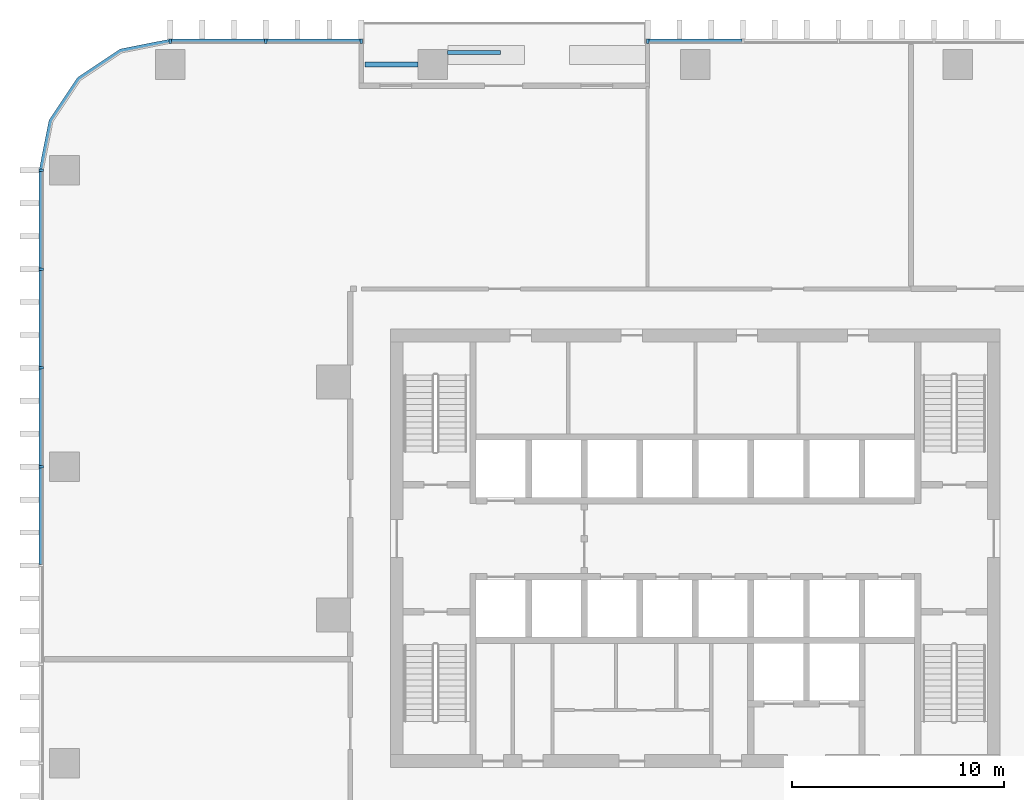
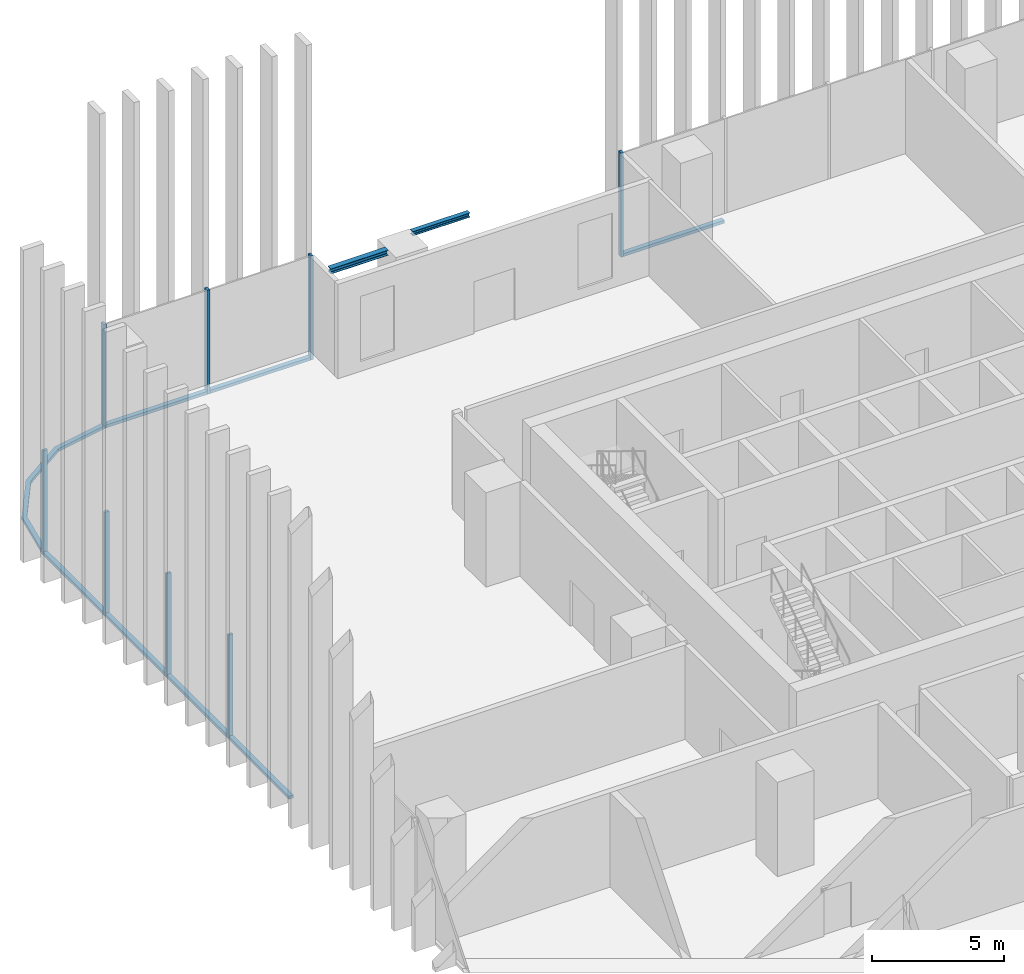
# One storey, part 4 of 16: 16 members, 2 beams, 4 elements without a shape of their own.
"""IFC4 building model written with IfcOpenShell, lengths in metres."""

from ifc_helpers import new_model, si_unit, direction, frame, origin, origin_2d, place, context, subcontext, project, spatial, polyline, rectangle, i_section, outline, extrude, material, material_profile, profile_set, type_object, element, aggregate, save


model = new_model("IFC4")

# Units and contexts
model_context = context("Model", 3, precision=1e-05, world=origin(), true_north=direction((0.0, 1.0)))
body_context = subcontext(model_context, "Body", "Model", "MODEL_VIEW")
ifc_project = project(units=[si_unit("LENGTHUNIT", "METRE"), si_unit("AREAUNIT", "SQUARE_METRE"), si_unit("VOLUMEUNIT", "CUBIC_METRE"), si_unit("PLANEANGLEUNIT", "RADIAN"), si_unit("MASSUNIT", "GRAM", prefix="KILO")], contexts=[model_context])

# Site, building, storey
site_placement = place(None, origin())
site = spatial("IfcSite", under=ifc_project, at=site_placement, CompositionType="ELEMENT")
building_placement = place(site_placement, origin())
building = spatial("IfcBuilding", under=site, at=building_placement, Name="Mopane Tessera Tower", CompositionType="ELEMENT")
storey_placement = place(building_placement, frame((0.0, 0.0, 59.800048828125)))
storey = spatial("IfcBuildingStorey", under=building, at=storey_placement, Name="L11", CompositionType="ELEMENT", Elevation=59.800048828125)

# Curtain wall, member
ifc_material_1 = material(Name="Aluminium frame", Category="aluminium")
curtain_wall_type = type_object("IfcCurtainWallType", Name="Lower tower unitised wall", PredefinedType="NOTDEFINED", material=ifc_material_1)
curtain_wall_1_placement = place(storey_placement, origin())
curtain_wall_1 = element("IfcCurtainWall", 1, at=curtain_wall_1_placement, inside=storey, type_object=curtain_wall_type, Name="e:cw:L11:N:0", PredefinedType="NOTDEFINED")
ifc_material_2 = material(Name="Aluminium frame", Category="aluminium")
ifc_material_profile_1 = material_profile(ifc_material_2, rectangle(XDim=0.110107421875, YDim=0.199951171875, at=origin_2d()))
ifc_profile_set_1 = profile_set([ifc_material_profile_1], Name="Aluminium frame")
member_type_1 = type_object("IfcMemberType", Name="Aluminium mullion 110 x 200", PredefinedType="MULLION", material=ifc_profile_set_1)
member_1_placement = place(storey_placement, frame((-2.254638671875, 27.10009765625, -0.449951171875), z_axis=(0.0, 0.0, 1.0), x_axis=(-1.0, 0.0, 0.0)))
member_1 = element("IfcMember", 2, at=member_1_placement, type_object=member_type_1, Name="e:cw:L11:N:0:mu6", PredefinedType="MULLION", context=body_context, shape_type="SweptSolid", body=[
    extrude(rectangle(XDim=0.110107421875, YDim=0.199951171875, at=origin_2d()), origin(), (0.0, 0.0, 1.0), 4.7998046875),
])

# Curtain wall, members
curtain_wall_2_placement = place(storey_placement, origin())
curtain_wall_2 = element("IfcCurtainWall", 3, at=curtain_wall_2_placement, inside=storey, type_object=curtain_wall_type, Name="e:cw:L11:N:9", PredefinedType="NOTDEFINED")
member_2_placement = place(storey_placement, frame((-15.78173828125, 27.10009765625, -0.449951171875), z_axis=(0.0, 0.0, 1.0), x_axis=(-1.0, 0.0, 0.0)))
member_2 = element("IfcMember", 4, at=member_2_placement, type_object=member_type_1, Name="e:cw:L11:N:9:mu9", PredefinedType="MULLION", context=body_context, shape_type="SweptSolid", body=[
    extrude(rectangle(XDim=0.110107421875, YDim=0.199951171875, at=origin_2d()), origin(), (0.0, 0.0, 1.0), 4.7998046875),
])
member_3_placement = place(storey_placement, frame((-20.291015625, 27.10009765625, -0.449951171875), z_axis=(0.0, 0.0, 1.0), x_axis=(-1.0, 0.0, 0.0)))
member_3 = element("IfcMember", 5, at=member_3_placement, type_object=member_type_1, Name="e:cw:L11:N:9:mu10", PredefinedType="MULLION", context=body_context, shape_type="SweptSolid", body=[
    extrude(rectangle(XDim=0.110107421875, YDim=0.199951171875, at=origin_2d()), origin(), (0.0, 0.0, 1.0), 4.7998046875),
])
member_4_placement = place(storey_placement, frame((-24.800048828125, 27.10009765625, -0.449951171875), z_axis=(0.0, 0.0, 1.0), x_axis=(-1.0, 0.0, 0.0)))
member_4 = element("IfcMember", 6, at=member_4_placement, type_object=member_type_1, Name="e:cw:L11:N:9:mu11", PredefinedType="MULLION", context=body_context, shape_type="SweptSolid", body=[
    extrude(rectangle(XDim=0.110107421875, YDim=0.199951171875, at=origin_2d()), origin(), (0.0, 0.0, 1.0), 4.7998046875),
])

curtain_wall_3_placement = place(storey_placement, origin())
curtain_wall_3 = element("IfcCurtainWall", 7, at=curtain_wall_3_placement, inside=storey, type_object=curtain_wall_type, Name="e:cw:L11:W:0", PredefinedType="NOTDEFINED")
member_5_placement = place(storey_placement, frame((-30.89990234375, 21.0, -0.449951171875), z_axis=(0.0, 0.0, 1.0), x_axis=(0.0, -1.0, 0.0)))
member_5 = element("IfcMember", 8, at=member_5_placement, type_object=member_type_1, Name="e:cw:L11:W:0:mu0", PredefinedType="MULLION", context=body_context, shape_type="SweptSolid", body=[
    extrude(rectangle(XDim=0.110107421875, YDim=0.199951171875, at=origin_2d()), origin(), (0.0, 0.0, 1.0), 4.7998046875),
])
member_6_placement = place(storey_placement, frame((-30.89990234375, 16.333251953125, -0.449951171875), z_axis=(0.0, 0.0, 1.0), x_axis=(0.0, -1.0, 0.0)))
member_6 = element("IfcMember", 9, at=member_6_placement, type_object=member_type_1, Name="e:cw:L11:W:0:mu1", PredefinedType="MULLION", context=body_context, shape_type="SweptSolid", body=[
    extrude(rectangle(XDim=0.110107421875, YDim=0.199951171875, at=origin_2d()), origin(), (0.0, 0.0, 1.0), 4.7998046875),
])
member_7_placement = place(storey_placement, frame((-30.89990234375, 11.666748046875, -0.449951171875), z_axis=(0.0, 0.0, 1.0), x_axis=(0.0, -1.0, 0.0)))
member_7 = element("IfcMember", 10, at=member_7_placement, type_object=member_type_1, Name="e:cw:L11:W:0:mu2", PredefinedType="MULLION", context=body_context, shape_type="SweptSolid", body=[
    extrude(rectangle(XDim=0.110107421875, YDim=0.199951171875, at=origin_2d()), origin(), (0.0, 0.0, 1.0), 4.7998046875),
])
member_8_placement = place(storey_placement, frame((-30.89990234375, 7.0, -0.449951171875), z_axis=(0.0, 0.0, 1.0), x_axis=(0.0, -1.0, 0.0)))
member_8 = element("IfcMember", 11, at=member_8_placement, type_object=member_type_1, Name="e:cw:L11:W:0:mu3", PredefinedType="MULLION", context=body_context, shape_type="SweptSolid", body=[
    extrude(rectangle(XDim=0.110107421875, YDim=0.199951171875, at=origin_2d()), origin(), (0.0, 0.0, 1.0), 4.7998046875),
])

# Member
ifc_material_3 = material(Name="Aluminium frame", Category="aluminium")
ifc_material_profile_2 = material_profile(ifc_material_3, rectangle(XDim=0.199951171875, YDim=0.139892578125, at=origin_2d()))
ifc_profile_set_2 = profile_set([ifc_material_profile_2], Name="Aluminium frame")
member_type_2 = type_object("IfcMemberType", Name="Aluminium transom 200 x 140", PredefinedType="USERDEFINED", material=ifc_profile_set_2)
member_9_placement = place(storey_placement, frame((2.199462890625, 27.10009765625, -0.380126953125), z_axis=(-1.0, 0.0, 0.0), x_axis=(0.0, -1.0, 0.0)))
member_9 = element("IfcMember", 12, at=member_9_placement, type_object=member_type_2, Name="e:cw:L11:N:0:tr5", ObjectType="TRANSOM", PredefinedType="USERDEFINED", context=body_context, shape_type="SweptSolid", body=[
    extrude(rectangle(XDim=0.199951171875, YDim=0.139892578125, at=origin_2d()), origin(), (0.0, 0.0, 1.0), 4.39892578125),
])

aggregate(curtain_wall_1, [member_1, member_9])

member_10_placement = place(storey_placement, frame((-15.8369140625, 27.10009765625, -0.380126953125), z_axis=(-1.0, 0.0, 0.0), x_axis=(0.0, -1.0, 0.0)))
member_10 = element("IfcMember", 13, at=member_10_placement, type_object=member_type_2, Name="e:cw:L11:N:9:tr9", ObjectType="TRANSOM", PredefinedType="USERDEFINED", context=body_context, shape_type="SweptSolid", body=[
    extrude(rectangle(XDim=0.199951171875, YDim=0.139892578125, at=origin_2d()), origin(), (0.0, 0.0, 1.0), 4.39892578125),
])

member_11_placement = place(storey_placement, frame((-20.345947265625, 27.10009765625, -0.380126953125), z_axis=(-1.0, 0.0, 0.0), x_axis=(0.0, -1.0, 0.0)))
member_11 = element("IfcMember", 14, at=member_11_placement, type_object=member_type_2, Name="e:cw:L11:N:9:tr10", ObjectType="TRANSOM", PredefinedType="USERDEFINED", context=body_context, shape_type="SweptSolid", body=[
    extrude(rectangle(XDim=0.199951171875, YDim=0.139892578125, at=origin_2d()), origin(), (0.0, 0.0, 1.0), 4.399169921875),
])

aggregate(curtain_wall_2, [member_2, member_3, member_4, member_10, member_11])

# Curtain wall, member
curtain_wall_4_placement = place(storey_placement, origin())
curtain_wall_4 = element("IfcCurtainWall", 15, at=curtain_wall_4_placement, inside=storey, type_object=curtain_wall_type, Name="e:cw:L11:CN", PredefinedType="NOTDEFINED")
member_12_placement = place(storey_placement, frame((0.0, 0.0, -0.449951171875)))
member_12 = element("IfcMember", 16, at=member_12_placement, type_object=member_type_2, Name="e:cw:L11:CN:tr", ObjectType="TRANSOM", PredefinedType="USERDEFINED", context=body_context, shape_type="SweptSolid", body=[
    extrude(outline(polyline([(-24.800048828125, 27.0), (-27.09619140625, 26.543212890625), (-29.042724609375, 25.24267578125), (-30.34326171875, 23.296142578125), (-30.800048828125, 21.0), (-31.0, 21.0), (-30.528076171875, 23.37255859375), (-29.18408203125, 25.384033203125), (-27.172607421875, 26.72802734375), (-24.800048828125, 27.199951171875), (-24.800048828125, 27.0)])), origin(), (0.0, 0.0, 1.0), 0.139892578125),
])
aggregate(curtain_wall_4, [member_12])

# Member
member_13_placement = place(storey_placement, frame((-30.89990234375, 20.945068359375, -0.380126953125), z_axis=(0.0, -1.0, 0.0), x_axis=(1.0, 0.0, 0.0)))
member_13 = element("IfcMember", 17, at=member_13_placement, type_object=member_type_2, Name="e:cw:L11:W:0:tr0", ObjectType="TRANSOM", PredefinedType="USERDEFINED", context=body_context, shape_type="SweptSolid", body=[
    extrude(rectangle(XDim=0.199951171875, YDim=0.139892578125, at=origin_2d()), origin(), (0.0, 0.0, 1.0), 4.556640625),
])

member_14_placement = place(storey_placement, frame((-30.89990234375, 16.2783203125, -0.380126953125), z_axis=(0.0, -1.0, 0.0), x_axis=(1.0, 0.0, 0.0)))
member_14 = element("IfcMember", 18, at=member_14_placement, type_object=member_type_2, Name="e:cw:L11:W:0:tr1", ObjectType="TRANSOM", PredefinedType="USERDEFINED", context=body_context, shape_type="SweptSolid", body=[
    extrude(rectangle(XDim=0.199951171875, YDim=0.139892578125, at=origin_2d()), origin(), (0.0, 0.0, 1.0), 4.556640625),
])

member_15_placement = place(storey_placement, frame((-30.89990234375, 11.611572265625, -0.380126953125), z_axis=(0.0, -1.0, 0.0), x_axis=(1.0, 0.0, 0.0)))
member_15 = element("IfcMember", 19, at=member_15_placement, type_object=member_type_2, Name="e:cw:L11:W:0:tr2", ObjectType="TRANSOM", PredefinedType="USERDEFINED", context=body_context, shape_type="SweptSolid", body=[
    extrude(rectangle(XDim=0.199951171875, YDim=0.139892578125, at=origin_2d()), origin(), (0.0, 0.0, 1.0), 4.556640625),
])

member_16_placement = place(storey_placement, frame((-30.89990234375, 6.945068359375, -0.380126953125), z_axis=(0.0, -1.0, 0.0), x_axis=(1.0, 0.0, 0.0)))
member_16 = element("IfcMember", 20, at=member_16_placement, type_object=member_type_2, Name="e:cw:L11:W:0:tr3", ObjectType="TRANSOM", PredefinedType="USERDEFINED", context=body_context, shape_type="SweptSolid", body=[
    extrude(rectangle(XDim=0.199951171875, YDim=0.139892578125, at=origin_2d()), origin(), (0.0, 0.0, 1.0), 4.556640625),
])

aggregate(curtain_wall_3, [member_5, member_6, member_7, member_8, member_13, member_14, member_15, member_16])

# Beams
ifc_material_4 = material(Name="Structural steel S460", Category="steel")
ifc_material_profile_3 = material_profile(ifc_material_4, i_section(OverallWidth=0.239990234375, OverallDepth=0.239990234375, WebThickness=0.010009765625, FlangeThickness=0.01708984375, FilletRadius=0.02099609375, at=origin_2d()))
ifc_profile_set_3 = profile_set([ifc_material_profile_3], Name="Structural steel S460")
beam_type_1 = type_object("IfcBeamType", Name="Terrace spandrel beam HE 240 B", PredefinedType="SPANDREL", material=ifc_profile_set_3)
beam_1_placement = place(storey_placement, frame((-13.102783203125, 26.0, 4.22998046875), z_axis=(-1.0, 0.0, 0.0), x_axis=(0.0, -1.0, 0.0)))
element("IfcBeam", 21, at=beam_1_placement, inside=storey, type_object=beam_type_1, Name="Terrace spandrel beam N2 L12", PredefinedType="SPANDREL", context=body_context, shape_type="SweptSolid", body=[
    extrude(i_section(OverallWidth=0.239990234375, OverallDepth=0.239990234375, WebThickness=0.010009765625, FlangeThickness=0.01708984375, FilletRadius=0.02099609375, at=origin_2d()), origin(), (0.0, 0.0, 1.0), 2.5),
])
ifc_material_5 = material(Name="Structural steel S460", Category="steel")
ifc_material_profile_4 = material_profile(ifc_material_5, i_section(OverallWidth=0.199951171875, OverallDepth=0.199951171875, WebThickness=0.009033203125, FlangeThickness=0.014892578125, FilletRadius=0.01806640625, at=origin_2d()))
ifc_profile_set_4 = profile_set([ifc_material_profile_4], Name="Structural steel S460")
beam_type_2 = type_object("IfcBeamType", Name="Terrace trimmer beam HE 200 B", PredefinedType="BEAM", material=ifc_profile_set_4)
beam_2_placement = place(storey_placement, frame((-11.697021484375, 26.56005859375, 4.25), z_axis=(1.0, 0.0, 0.0), x_axis=(0.0, 1.0, 0.0)))
element("IfcBeam", 22, at=beam_2_placement, inside=storey, type_object=beam_type_2, Name="Terrace trimmer beam N2 L12", PredefinedType="BEAM", context=body_context, shape_type="SweptSolid", body=[
    extrude(i_section(OverallWidth=0.199951171875, OverallDepth=0.199951171875, WebThickness=0.009033203125, FlangeThickness=0.014892578125, FilletRadius=0.01806640625, at=origin_2d()), origin(), (0.0, 0.0, 1.0), 2.5),
])

save(model, "model.ifc")
